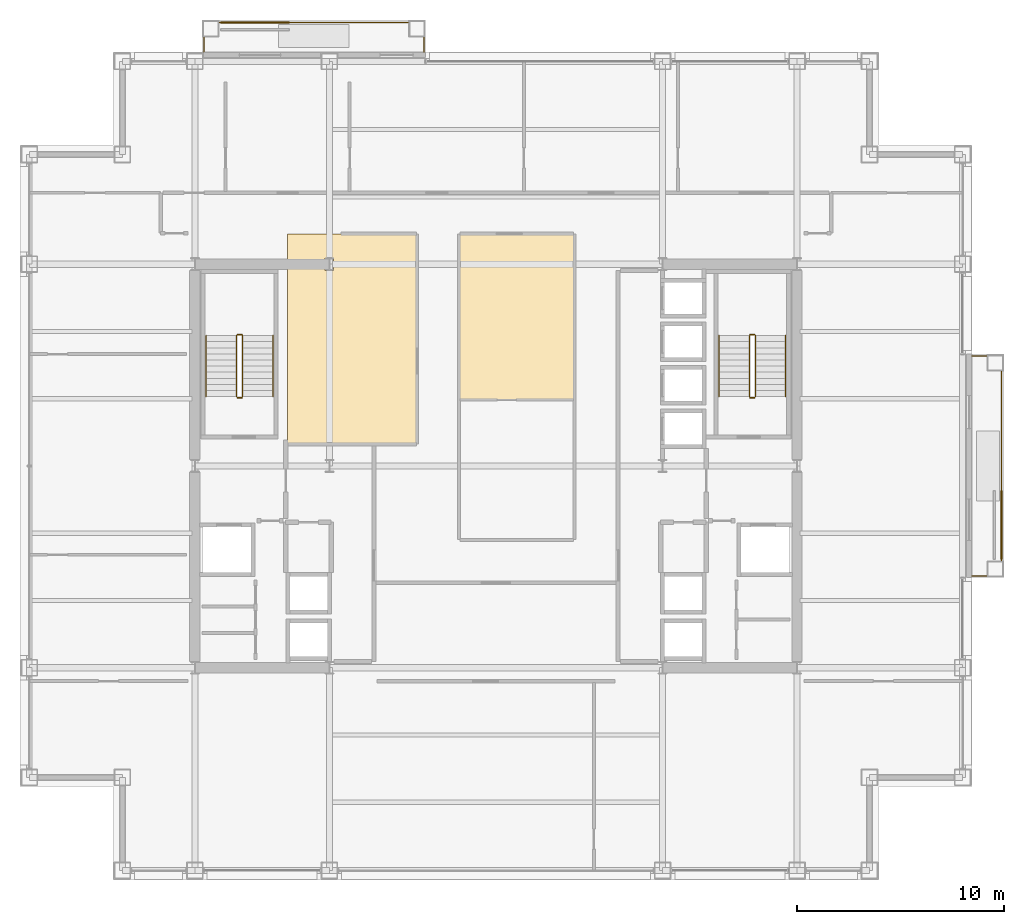
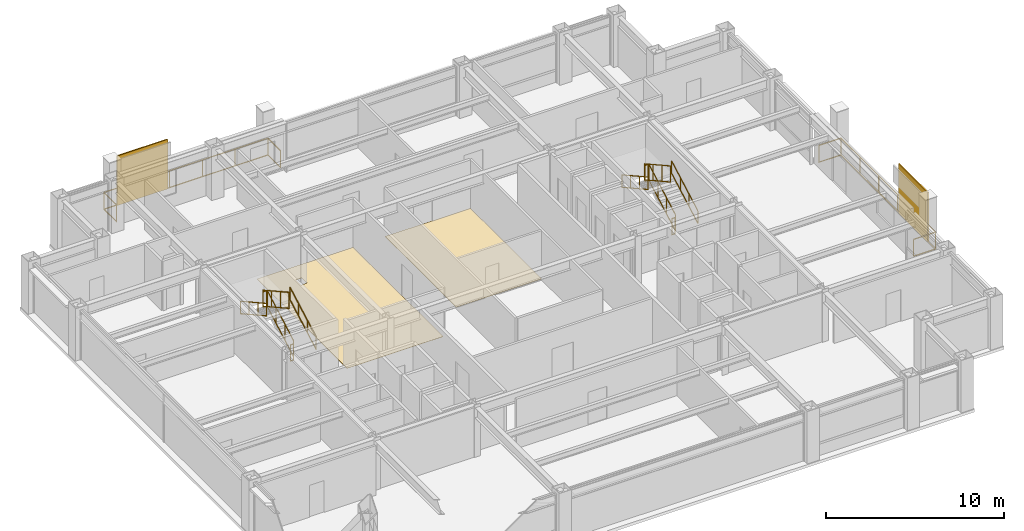
# One storey, part 28 of 29: 14 railings, 2 coverings, 2 shading devices.
"""IFC4 building model written with IfcOpenShell, lengths in metres."""

from ifc_helpers import new_model, si_unit, direction, frame, origin, origin_2d, place, context, subcontext, project, spatial, polyline, rectangle, outline, extrude, material, layer, layer_set, type_object, element, save


model = new_model("IFC4")

# Units and contexts
model_context = context("Model", 3, precision=1e-05, world=origin(), true_north=direction((0.0, 1.0)))
body_context = subcontext(model_context, "Body", "Model", "MODEL_VIEW")
ifc_project = project(units=[si_unit("LENGTHUNIT", "METRE"), si_unit("AREAUNIT", "SQUARE_METRE"), si_unit("VOLUMEUNIT", "CUBIC_METRE"), si_unit("PLANEANGLEUNIT", "RADIAN"), si_unit("MASSUNIT", "GRAM", prefix="KILO")], contexts=[model_context])

# Site, building, storey
site_placement = place(None, origin())
site = spatial("IfcSite", under=ifc_project, at=site_placement, CompositionType="ELEMENT")
building_placement = place(site_placement, origin())
building = spatial("IfcBuilding", under=site, at=building_placement, Name="Brelmoor Portico Tower", CompositionType="ELEMENT")
storey_placement = place(building_placement, frame((0.0, 0.0, 135.0)))
storey = spatial("IfcBuildingStorey", under=building, at=storey_placement, Name="L35", CompositionType="ELEMENT", Elevation=135.0)

# Coverings
ifc_material_1 = material(Name="Polished Pale-Aggregate Cementitious Terrazzo", Category="stone")
ifc_layer_1 = layer(ifc_material_1, 0.030029296875)
ifc_layer_set_1 = layer_set([ifc_layer_1], Name="Polished Pale-Aggregate Cementitious Terrazzo")
covering_type_1 = type_object("IfcCoveringType", Name="CV-FLR-TERRAZZO-30", PredefinedType="FLOORING", material=ifc_layer_set_1)
covering_1_placement = place(storey_placement, origin())
element("IfcCovering", 1, at=covering_1_placement, inside=storey, type_object=covering_type_1, Name="L35 Architectural Floor Finish 02", PredefinedType="FLOORING", context=body_context, shape_type="SweptSolid", body=[
    extrude(outline(polyline([(-1.760009765625, 3.219970703125), (-1.760009765625, 11.2099609375), (3.780029296875, 11.2099609375), (3.780029296875, 3.219970703125), (-1.760009765625, 3.219970703125)])), origin(), (0.0, 0.0, 1.0), 0.030029296875),
])
ifc_material_2 = material(Name="Engineered Quarter-Sawn Oak Parquet Flooring", Category="timber")
ifc_layer_2 = layer(ifc_material_2, 0.02197265625)
ifc_layer_set_2 = layer_set([ifc_layer_2], Name="Engineered Quarter-Sawn Oak Parquet Flooring")
covering_type_2 = type_object("IfcCoveringType", Name="CV-FLR-TIMBER-22", PredefinedType="FLOORING", material=ifc_layer_set_2)
covering_2_placement = place(storey_placement, origin())
element("IfcCovering", 2, at=covering_2_placement, inside=storey, type_object=covering_type_2, Name="L35 Architectural Floor Finish 01", PredefinedType="FLOORING", context=body_context, shape_type="SweptSolid", body=[
    extrude(outline(polyline([(-10.080078125, 11.2099609375), (-3.840087890625, 11.2099609375), (-3.840087890625, 1.090087890625), (-10.080078125, 1.090087890625), (-10.080078125, 11.2099609375)]), holes=[polyline([(-7.85009765625, 9.449951171875), (-7.85009765625, 10.050048828125), (-8.25, 10.050048828125), (-8.25, 9.449951171875), (-7.85009765625, 9.449951171875)])]), origin(), (0.0, 0.0, 1.0), 0.02197265625),
])

# Railings
ifc_material_3 = material(Name="Perforated Pale Champagne Aluminium Fretwork Guard", Category="aluminium")
railing_type_1 = type_object("IfcRailingType", Name="RL-BALUSTRADE-1200", PredefinedType="BALUSTRADE", material=ifc_material_3)
railing_1_placement = place(storey_placement, frame((-14.1201171875, 20.0, 0.0)))
element("IfcRailing", 3, at=railing_1_placement, inside=storey, type_object=railing_type_1, Name="L35 Tree Balcony Fretwork Balustrade N", PredefinedType="BALUSTRADE", context=body_context, shape_type="SweptSolid", body=[
    extrude(rectangle(XDim=0.048095703125, YDim=0.048095703125, at=origin_2d()), frame((0.0, 0.0, 1.17578125), z_axis=(0.0, 1.0, 0.0), x_axis=(-1.0, 0.0, 0.0)), (0.0, 0.0, 1.0), 1.429931640625),
    extrude(rectangle(XDim=0.048095703125, YDim=0.048095703125, at=origin_2d()), frame((0.0, 0.0, 0.02392578125), z_axis=(0.0, 1.0, 0.0), x_axis=(-1.0, 0.0, 0.0)), (0.0, 0.0, 1.0), 1.429931640625),
    extrude(rectangle(XDim=0.048095703125, YDim=0.048095703125, at=origin_2d()), frame((0.0, 1.429931640625, 1.17578125), z_axis=(1.0, 0.0, 0.0), x_axis=(0.0, 1.0, 0.0)), (0.0, 0.0, 1.0), 10.64013671875),
    extrude(rectangle(XDim=0.048095703125, YDim=0.048095703125, at=origin_2d()), frame((0.0, 1.429931640625, 0.02392578125), z_axis=(1.0, 0.0, 0.0), x_axis=(0.0, 1.0, 0.0)), (0.0, 0.0, 1.0), 10.64013671875),
    extrude(rectangle(XDim=0.048095703125, YDim=0.048095703125, at=origin_2d()), frame((10.64013671875, 1.429931640625, 1.17578125), z_axis=(0.0, -1.0, 0.0), x_axis=(1.0, 0.0, 0.0)), (0.0, 0.0, 1.0), 1.429931640625),
    extrude(rectangle(XDim=0.048095703125, YDim=0.048095703125, at=origin_2d()), frame((10.64013671875, 1.429931640625, 0.02392578125), z_axis=(0.0, -1.0, 0.0), x_axis=(1.0, 0.0, 0.0)), (0.0, 0.0, 1.0), 1.429931640625),
    extrude(rectangle(XDim=0.0419921875, YDim=0.0419921875, at=origin_2d()), origin(), (0.0, 0.0, 1.0), 1.15185546875),
    extrude(rectangle(XDim=0.0419921875, YDim=0.0419921875, at=origin_2d()), frame((0.0, 1.429931640625, 0.0)), (0.0, 0.0, 1.0), 1.15185546875),
    extrude(rectangle(XDim=0.0419921875, YDim=0.0419921875, at=origin_2d()), frame((2.1279296875, 1.429931640625, 0.0)), (0.0, 0.0, 1.0), 1.15185546875),
    extrude(rectangle(XDim=0.0419921875, YDim=0.0419921875, at=origin_2d()), frame((4.256103515625, 1.429931640625, 0.0)), (0.0, 0.0, 1.0), 1.15185546875),
    extrude(rectangle(XDim=0.0419921875, YDim=0.0419921875, at=origin_2d()), frame((6.384033203125, 1.429931640625, 0.0)), (0.0, 0.0, 1.0), 1.15185546875),
    extrude(rectangle(XDim=0.0419921875, YDim=0.0419921875, at=origin_2d()), frame((8.51220703125, 1.429931640625, 0.0)), (0.0, 0.0, 1.0), 1.15185546875),
    extrude(rectangle(XDim=0.0419921875, YDim=0.0419921875, at=origin_2d()), frame((10.64013671875, 1.429931640625, 0.0)), (0.0, 0.0, 1.0), 1.15185546875),
    extrude(rectangle(XDim=0.0419921875, YDim=0.0419921875, at=origin_2d()), frame((10.64013671875, 0.0, 0.0)), (0.0, 0.0, 1.0), 1.15185546875),
])
railing_2_placement = place(storey_placement, frame((23.0, -5.320068359375, 0.0)))
element("IfcRailing", 4, at=railing_2_placement, inside=storey, type_object=railing_type_1, Name="L35 Tree Balcony Fretwork Balustrade E", PredefinedType="BALUSTRADE", context=body_context, shape_type="SweptSolid", body=[
    extrude(rectangle(XDim=0.048095703125, YDim=0.048095703125, at=origin_2d()), frame((0.0, 0.0, 1.17578125), z_axis=(1.0, 0.0, 0.0), x_axis=(0.0, 1.0, 0.0)), (0.0, 0.0, 1.0), 1.429931640625),
    extrude(rectangle(XDim=0.048095703125, YDim=0.048095703125, at=origin_2d()), frame((0.0, 0.0, 0.02392578125), z_axis=(1.0, 0.0, 0.0), x_axis=(0.0, 1.0, 0.0)), (0.0, 0.0, 1.0), 1.429931640625),
    extrude(rectangle(XDim=0.048095703125, YDim=0.048095703125, at=origin_2d()), frame((1.429931640625, 0.0, 1.17578125), z_axis=(0.0, 1.0, 0.0), x_axis=(-1.0, 0.0, 0.0)), (0.0, 0.0, 1.0), 10.64013671875),
    extrude(rectangle(XDim=0.048095703125, YDim=0.048095703125, at=origin_2d()), frame((1.429931640625, 0.0, 0.02392578125), z_axis=(0.0, 1.0, 0.0), x_axis=(-1.0, 0.0, 0.0)), (0.0, 0.0, 1.0), 10.64013671875),
    extrude(rectangle(XDim=0.048095703125, YDim=0.048095703125, at=origin_2d()), frame((1.429931640625, 10.64013671875, 1.17578125), z_axis=(-1.0, 0.0, 0.0), x_axis=(0.0, -1.0, 0.0)), (0.0, 0.0, 1.0), 1.429931640625),
    extrude(rectangle(XDim=0.048095703125, YDim=0.048095703125, at=origin_2d()), frame((1.429931640625, 10.64013671875, 0.02392578125), z_axis=(-1.0, 0.0, 0.0), x_axis=(0.0, -1.0, 0.0)), (0.0, 0.0, 1.0), 1.429931640625),
    extrude(rectangle(XDim=0.0419921875, YDim=0.0419921875, at=origin_2d()), origin(), (0.0, 0.0, 1.0), 1.15185546875),
    extrude(rectangle(XDim=0.0419921875, YDim=0.0419921875, at=origin_2d()), frame((1.429931640625, 0.0, 0.0)), (0.0, 0.0, 1.0), 1.15185546875),
    extrude(rectangle(XDim=0.0419921875, YDim=0.0419921875, at=origin_2d()), frame((1.429931640625, 2.1279296875, 0.0)), (0.0, 0.0, 1.0), 1.15185546875),
    extrude(rectangle(XDim=0.0419921875, YDim=0.0419921875, at=origin_2d()), frame((1.429931640625, 4.256103515625, 0.0)), (0.0, 0.0, 1.0), 1.15185546875),
    extrude(rectangle(XDim=0.0419921875, YDim=0.0419921875, at=origin_2d()), frame((1.429931640625, 6.384033203125, 0.0)), (0.0, 0.0, 1.0), 1.15185546875),
    extrude(rectangle(XDim=0.0419921875, YDim=0.0419921875, at=origin_2d()), frame((1.429931640625, 8.51220703125, 0.0)), (0.0, 0.0, 1.0), 1.15185546875),
    extrude(rectangle(XDim=0.0419921875, YDim=0.0419921875, at=origin_2d()), frame((1.429931640625, 10.64013671875, 0.0)), (0.0, 0.0, 1.0), 1.15185546875),
    extrude(rectangle(XDim=0.0419921875, YDim=0.0419921875, at=origin_2d()), frame((0.0, 10.64013671875, 0.0)), (0.0, 0.0, 1.0), 1.15185546875),
])
ifc_material_4 = material(Name="Painted Tubular Steel Q235B", Category="steel")
railing_type_2 = type_object("IfcRailingType", Name="RL-STAIR-GUARD", PredefinedType="GUARDRAIL", material=ifc_material_4)
railing_3_placement = place(storey_placement, frame((-12.239990234375, 3.35009765625, 0.16357421875)))
element("IfcRailing", 5, at=railing_3_placement, inside=storey, type_object=railing_type_2, Name="L35 ST-W stair guard 1", PredefinedType="GUARDRAIL", context=body_context, shape_type="SweptSolid", body=[
    extrude(rectangle(XDim=0.048095703125, YDim=0.048095703125, at=origin_2d()), frame((0.0, 0.0, 1.1259765625), z_axis=(0.0, 0.874457516365, 0.485102104791), x_axis=(-1.0, 0.0, 0.0)), (0.0, 0.0, 1.0), 3.37353515625),
    extrude(rectangle(XDim=0.048095703125, YDim=0.048095703125, at=origin_2d()), frame((0.0, 0.0, 0.02392578125), z_axis=(0.0, 0.874457516365, 0.485102104791), x_axis=(-1.0, 0.0, 0.0)), (0.0, 0.0, 1.0), 3.37353515625),
    extrude(rectangle(XDim=0.0419921875, YDim=0.0419921875, at=origin_2d()), origin(), (0.0, 0.0, 1.0), 1.101806640625),
    extrude(rectangle(XDim=0.0419921875, YDim=0.0419921875, at=origin_2d()), frame((0.0, 0.9833984375, 0.54541015625)), (0.0, 0.0, 1.0), 1.101806640625),
    extrude(rectangle(XDim=0.0419921875, YDim=0.0419921875, at=origin_2d()), frame((0.0, 1.966552734375, 1.091064453125)), (0.0, 0.0, 1.0), 1.101806640625),
    extrude(rectangle(XDim=0.0419921875, YDim=0.0419921875, at=origin_2d()), frame((0.0, 2.949951171875, 1.636474609375)), (0.0, 0.0, 1.0), 1.101806640625),
])
railing_4_placement = place(storey_placement, frame((-12.2900390625, 6.35009765625, 1.800048828125)))
element("IfcRailing", 6, at=railing_4_placement, inside=storey, type_object=railing_type_2, Name="L35 ST-W stair guard 2", PredefinedType="GUARDRAIL", context=body_context, shape_type="SweptSolid", body=[
    extrude(rectangle(XDim=0.048095703125, YDim=0.048095703125, at=origin_2d()), frame((0.0, 0.0, 1.1259765625), z_axis=(-1.0, 0.0, 0.0), x_axis=(0.0, -1.0, 0.0)), (0.0, 0.0, 1.0), 0.199951171875),
    extrude(rectangle(XDim=0.048095703125, YDim=0.048095703125, at=origin_2d()), frame((0.0, 0.0, 0.02392578125), z_axis=(-1.0, 0.0, 0.0), x_axis=(0.0, -1.0, 0.0)), (0.0, 0.0, 1.0), 0.199951171875),
    extrude(rectangle(XDim=0.0419921875, YDim=0.0419921875, at=origin_2d()), origin(), (0.0, 0.0, 1.0), 1.101806640625),
    extrude(rectangle(XDim=0.0419921875, YDim=0.0419921875, at=origin_2d()), frame((-0.199951171875, 0.0, 0.0)), (0.0, 0.0, 1.0), 1.101806640625),
])
railing_5_placement = place(storey_placement, frame((-12.5400390625, 6.300048828125, 1.963623046875)))
element("IfcRailing", 7, at=railing_5_placement, inside=storey, type_object=railing_type_2, Name="L35 ST-W stair guard 3", PredefinedType="GUARDRAIL", context=body_context, shape_type="SweptSolid", body=[
    extrude(rectangle(XDim=0.048095703125, YDim=0.048095703125, at=origin_2d()), frame((0.0, 0.0, 1.1259765625), z_axis=(0.0, -0.874457516365, 0.485102104791), x_axis=(1.0, 0.0, 0.0)), (0.0, 0.0, 1.0), 3.37353515625),
    extrude(rectangle(XDim=0.048095703125, YDim=0.048095703125, at=origin_2d()), frame((0.0, 0.0, 0.02392578125), z_axis=(0.0, -0.874457516365, 0.485102104791), x_axis=(1.0, 0.0, 0.0)), (0.0, 0.0, 1.0), 3.37353515625),
    extrude(rectangle(XDim=0.0419921875, YDim=0.0419921875, at=origin_2d()), origin(), (0.0, 0.0, 1.0), 1.101806640625),
    extrude(rectangle(XDim=0.0419921875, YDim=0.0419921875, at=origin_2d()), frame((0.0, -0.9833984375, 0.54541015625)), (0.0, 0.0, 1.0), 1.101806640625),
    extrude(rectangle(XDim=0.0419921875, YDim=0.0419921875, at=origin_2d()), frame((0.0, -1.966552734375, 1.091064453125)), (0.0, 0.0, 1.0), 1.101806640625),
    extrude(rectangle(XDim=0.0419921875, YDim=0.0419921875, at=origin_2d()), frame((0.0, -2.949951171875, 1.636474609375)), (0.0, 0.0, 1.0), 1.101806640625),
])
railing_6_placement = place(storey_placement, frame((-12.2900390625, 3.300048828125, 0.0)))
element("IfcRailing", 8, at=railing_6_placement, inside=storey, type_object=railing_type_2, Name="L35 ST-W stair guard 4", PredefinedType="GUARDRAIL", context=body_context, shape_type="SweptSolid", body=[
    extrude(rectangle(XDim=0.048095703125, YDim=0.048095703125, at=origin_2d()), frame((0.0, 0.0, 1.1259765625), z_axis=(-1.0, 0.0, 0.0), x_axis=(0.0, -1.0, 0.0)), (0.0, 0.0, 1.0), 0.199951171875),
    extrude(rectangle(XDim=0.048095703125, YDim=0.048095703125, at=origin_2d()), frame((0.0, 0.0, 0.02392578125), z_axis=(-1.0, 0.0, 0.0), x_axis=(0.0, -1.0, 0.0)), (0.0, 0.0, 1.0), 0.199951171875),
    extrude(rectangle(XDim=0.0419921875, YDim=0.0419921875, at=origin_2d()), origin(), (0.0, 0.0, 1.0), 1.101806640625),
    extrude(rectangle(XDim=0.0419921875, YDim=0.0419921875, at=origin_2d()), frame((-0.199951171875, 0.0, 0.0)), (0.0, 0.0, 1.0), 1.101806640625),
])
railing_7_placement = place(storey_placement, frame((12.5400390625, 3.35009765625, 0.16357421875)))
element("IfcRailing", 9, at=railing_7_placement, inside=storey, type_object=railing_type_2, Name="L35 ST-E stair guard 1", PredefinedType="GUARDRAIL", context=body_context, shape_type="SweptSolid", body=[
    extrude(rectangle(XDim=0.048095703125, YDim=0.048095703125, at=origin_2d()), frame((0.0, 0.0, 1.1259765625), z_axis=(0.0, 0.874457516365, 0.485102104791), x_axis=(-1.0, 0.0, 0.0)), (0.0, 0.0, 1.0), 3.37353515625),
    extrude(rectangle(XDim=0.048095703125, YDim=0.048095703125, at=origin_2d()), frame((0.0, 0.0, 0.02392578125), z_axis=(0.0, 0.874457516365, 0.485102104791), x_axis=(-1.0, 0.0, 0.0)), (0.0, 0.0, 1.0), 3.37353515625),
    extrude(rectangle(XDim=0.0419921875, YDim=0.0419921875, at=origin_2d()), origin(), (0.0, 0.0, 1.0), 1.101806640625),
    extrude(rectangle(XDim=0.0419921875, YDim=0.0419921875, at=origin_2d()), frame((0.0, 0.9833984375, 0.54541015625)), (0.0, 0.0, 1.0), 1.101806640625),
    extrude(rectangle(XDim=0.0419921875, YDim=0.0419921875, at=origin_2d()), frame((0.0, 1.966552734375, 1.091064453125)), (0.0, 0.0, 1.0), 1.101806640625),
    extrude(rectangle(XDim=0.0419921875, YDim=0.0419921875, at=origin_2d()), frame((0.0, 2.949951171875, 1.636474609375)), (0.0, 0.0, 1.0), 1.101806640625),
])
railing_8_placement = place(storey_placement, frame((12.489990234375, 6.35009765625, 1.800048828125)))
element("IfcRailing", 10, at=railing_8_placement, inside=storey, type_object=railing_type_2, Name="L35 ST-E stair guard 2", PredefinedType="GUARDRAIL", context=body_context, shape_type="SweptSolid", body=[
    extrude(rectangle(XDim=0.048095703125, YDim=0.048095703125, at=origin_2d()), frame((0.0, 0.0, 1.1259765625), z_axis=(-1.0, 0.0, 0.0), x_axis=(0.0, -1.0, 0.0)), (0.0, 0.0, 1.0), 0.199951171875),
    extrude(rectangle(XDim=0.048095703125, YDim=0.048095703125, at=origin_2d()), frame((0.0, 0.0, 0.02392578125), z_axis=(-1.0, 0.0, 0.0), x_axis=(0.0, -1.0, 0.0)), (0.0, 0.0, 1.0), 0.199951171875),
    extrude(rectangle(XDim=0.0419921875, YDim=0.0419921875, at=origin_2d()), origin(), (0.0, 0.0, 1.0), 1.101806640625),
    extrude(rectangle(XDim=0.0419921875, YDim=0.0419921875, at=origin_2d()), frame((-0.199951171875, 0.0, 0.0)), (0.0, 0.0, 1.0), 1.101806640625),
])
railing_9_placement = place(storey_placement, frame((12.239990234375, 6.300048828125, 1.963623046875)))
element("IfcRailing", 11, at=railing_9_placement, inside=storey, type_object=railing_type_2, Name="L35 ST-E stair guard 3", PredefinedType="GUARDRAIL", context=body_context, shape_type="SweptSolid", body=[
    extrude(rectangle(XDim=0.048095703125, YDim=0.048095703125, at=origin_2d()), frame((0.0, 0.0, 1.1259765625), z_axis=(0.0, -0.874457516365, 0.485102104791), x_axis=(1.0, 0.0, 0.0)), (0.0, 0.0, 1.0), 3.37353515625),
    extrude(rectangle(XDim=0.048095703125, YDim=0.048095703125, at=origin_2d()), frame((0.0, 0.0, 0.02392578125), z_axis=(0.0, -0.874457516365, 0.485102104791), x_axis=(1.0, 0.0, 0.0)), (0.0, 0.0, 1.0), 3.37353515625),
    extrude(rectangle(XDim=0.0419921875, YDim=0.0419921875, at=origin_2d()), origin(), (0.0, 0.0, 1.0), 1.101806640625),
    extrude(rectangle(XDim=0.0419921875, YDim=0.0419921875, at=origin_2d()), frame((0.0, -0.9833984375, 0.54541015625)), (0.0, 0.0, 1.0), 1.101806640625),
    extrude(rectangle(XDim=0.0419921875, YDim=0.0419921875, at=origin_2d()), frame((0.0, -1.966552734375, 1.091064453125)), (0.0, 0.0, 1.0), 1.101806640625),
    extrude(rectangle(XDim=0.0419921875, YDim=0.0419921875, at=origin_2d()), frame((0.0, -2.949951171875, 1.636474609375)), (0.0, 0.0, 1.0), 1.101806640625),
])
railing_10_placement = place(storey_placement, frame((12.489990234375, 3.300048828125, 0.0)))
element("IfcRailing", 12, at=railing_10_placement, inside=storey, type_object=railing_type_2, Name="L35 ST-E stair guard 4", PredefinedType="GUARDRAIL", context=body_context, shape_type="SweptSolid", body=[
    extrude(rectangle(XDim=0.048095703125, YDim=0.048095703125, at=origin_2d()), frame((0.0, 0.0, 1.1259765625), z_axis=(-1.0, 0.0, 0.0), x_axis=(0.0, -1.0, 0.0)), (0.0, 0.0, 1.0), 0.199951171875),
    extrude(rectangle(XDim=0.048095703125, YDim=0.048095703125, at=origin_2d()), frame((0.0, 0.0, 0.02392578125), z_axis=(-1.0, 0.0, 0.0), x_axis=(0.0, -1.0, 0.0)), (0.0, 0.0, 1.0), 0.199951171875),
    extrude(rectangle(XDim=0.0419921875, YDim=0.0419921875, at=origin_2d()), origin(), (0.0, 0.0, 1.0), 1.101806640625),
    extrude(rectangle(XDim=0.0419921875, YDim=0.0419921875, at=origin_2d()), frame((-0.199951171875, 0.0, 0.0)), (0.0, 0.0, 1.0), 1.101806640625),
])
ifc_material_5 = material(Name="Brushed Stainless Steel 304", Category="steel")
railing_type_3 = type_object("IfcRailingType", Name="RL-STAIR-HANDRAIL", PredefinedType="HANDRAIL", material=ifc_material_5)
railing_11_placement = place(storey_placement, frame((-10.780029296875, 3.35009765625, 0.16357421875)))
element("IfcRailing", 13, at=railing_11_placement, inside=storey, type_object=railing_type_3, Name="L35 ST-W stair handrail 1", PredefinedType="HANDRAIL", context=body_context, shape_type="SweptSolid", body=[
    extrude(rectangle(XDim=0.048095703125, YDim=0.048095703125, at=origin_2d()), frame((0.0, 0.0, 0.8759765625), z_axis=(0.0, 0.874457516365, 0.485102104791), x_axis=(-1.0, 0.0, 0.0)), (0.0, 0.0, 1.0), 3.37353515625),
    extrude(rectangle(XDim=0.048095703125, YDim=0.048095703125, at=origin_2d()), frame((0.0, 0.0, 0.02392578125), z_axis=(0.0, 0.874457516365, 0.485102104791), x_axis=(-1.0, 0.0, 0.0)), (0.0, 0.0, 1.0), 3.37353515625),
    extrude(rectangle(XDim=0.0419921875, YDim=0.0419921875, at=origin_2d()), origin(), (0.0, 0.0, 1.0), 0.851806640625),
    extrude(rectangle(XDim=0.0419921875, YDim=0.0419921875, at=origin_2d()), frame((0.0, 0.9833984375, 0.54541015625)), (0.0, 0.0, 1.0), 0.851806640625),
    extrude(rectangle(XDim=0.0419921875, YDim=0.0419921875, at=origin_2d()), frame((0.0, 1.966552734375, 1.091064453125)), (0.0, 0.0, 1.0), 0.851806640625),
    extrude(rectangle(XDim=0.0419921875, YDim=0.0419921875, at=origin_2d()), frame((0.0, 2.949951171875, 1.636474609375)), (0.0, 0.0, 1.0), 0.851806640625),
])
railing_12_placement = place(storey_placement, frame((-14.0, 6.300048828125, 1.963623046875)))
element("IfcRailing", 14, at=railing_12_placement, inside=storey, type_object=railing_type_3, Name="L35 ST-W stair handrail 2", PredefinedType="HANDRAIL", context=body_context, shape_type="SweptSolid", body=[
    extrude(rectangle(XDim=0.048095703125, YDim=0.048095703125, at=origin_2d()), frame((0.0, 0.0, 0.8759765625), z_axis=(0.0, -0.874457516365, 0.485102104791), x_axis=(1.0, 0.0, 0.0)), (0.0, 0.0, 1.0), 3.37353515625),
    extrude(rectangle(XDim=0.048095703125, YDim=0.048095703125, at=origin_2d()), frame((0.0, 0.0, 0.02392578125), z_axis=(0.0, -0.874457516365, 0.485102104791), x_axis=(1.0, 0.0, 0.0)), (0.0, 0.0, 1.0), 3.37353515625),
    extrude(rectangle(XDim=0.0419921875, YDim=0.0419921875, at=origin_2d()), origin(), (0.0, 0.0, 1.0), 0.851806640625),
    extrude(rectangle(XDim=0.0419921875, YDim=0.0419921875, at=origin_2d()), frame((0.0, -0.9833984375, 0.54541015625)), (0.0, 0.0, 1.0), 0.851806640625),
    extrude(rectangle(XDim=0.0419921875, YDim=0.0419921875, at=origin_2d()), frame((0.0, -1.966552734375, 1.091064453125)), (0.0, 0.0, 1.0), 0.851806640625),
    extrude(rectangle(XDim=0.0419921875, YDim=0.0419921875, at=origin_2d()), frame((0.0, -2.949951171875, 1.636474609375)), (0.0, 0.0, 1.0), 0.851806640625),
])
railing_13_placement = place(storey_placement, frame((14.0, 3.35009765625, 0.16357421875)))
element("IfcRailing", 15, at=railing_13_placement, inside=storey, type_object=railing_type_3, Name="L35 ST-E stair handrail 1", PredefinedType="HANDRAIL", context=body_context, shape_type="SweptSolid", body=[
    extrude(rectangle(XDim=0.048095703125, YDim=0.048095703125, at=origin_2d()), frame((0.0, 0.0, 0.8759765625), z_axis=(0.0, 0.874457516365, 0.485102104791), x_axis=(-1.0, 0.0, 0.0)), (0.0, 0.0, 1.0), 3.37353515625),
    extrude(rectangle(XDim=0.048095703125, YDim=0.048095703125, at=origin_2d()), frame((0.0, 0.0, 0.02392578125), z_axis=(0.0, 0.874457516365, 0.485102104791), x_axis=(-1.0, 0.0, 0.0)), (0.0, 0.0, 1.0), 3.37353515625),
    extrude(rectangle(XDim=0.0419921875, YDim=0.0419921875, at=origin_2d()), origin(), (0.0, 0.0, 1.0), 0.851806640625),
    extrude(rectangle(XDim=0.0419921875, YDim=0.0419921875, at=origin_2d()), frame((0.0, 0.9833984375, 0.54541015625)), (0.0, 0.0, 1.0), 0.851806640625),
    extrude(rectangle(XDim=0.0419921875, YDim=0.0419921875, at=origin_2d()), frame((0.0, 1.966552734375, 1.091064453125)), (0.0, 0.0, 1.0), 0.851806640625),
    extrude(rectangle(XDim=0.0419921875, YDim=0.0419921875, at=origin_2d()), frame((0.0, 2.949951171875, 1.636474609375)), (0.0, 0.0, 1.0), 0.851806640625),
])
railing_14_placement = place(storey_placement, frame((10.780029296875, 6.300048828125, 1.963623046875)))
element("IfcRailing", 16, at=railing_14_placement, inside=storey, type_object=railing_type_3, Name="L35 ST-E stair handrail 2", PredefinedType="HANDRAIL", context=body_context, shape_type="SweptSolid", body=[
    extrude(rectangle(XDim=0.048095703125, YDim=0.048095703125, at=origin_2d()), frame((0.0, 0.0, 0.8759765625), z_axis=(0.0, -0.874457516365, 0.485102104791), x_axis=(1.0, 0.0, 0.0)), (0.0, 0.0, 1.0), 3.37353515625),
    extrude(rectangle(XDim=0.048095703125, YDim=0.048095703125, at=origin_2d()), frame((0.0, 0.0, 0.02392578125), z_axis=(0.0, -0.874457516365, 0.485102104791), x_axis=(1.0, 0.0, 0.0)), (0.0, 0.0, 1.0), 3.37353515625),
    extrude(rectangle(XDim=0.0419921875, YDim=0.0419921875, at=origin_2d()), origin(), (0.0, 0.0, 1.0), 0.851806640625),
    extrude(rectangle(XDim=0.0419921875, YDim=0.0419921875, at=origin_2d()), frame((0.0, -0.9833984375, 0.54541015625)), (0.0, 0.0, 1.0), 0.851806640625),
    extrude(rectangle(XDim=0.0419921875, YDim=0.0419921875, at=origin_2d()), frame((0.0, -1.966552734375, 1.091064453125)), (0.0, 0.0, 1.0), 0.851806640625),
    extrude(rectangle(XDim=0.0419921875, YDim=0.0419921875, at=origin_2d()), frame((0.0, -2.949951171875, 1.636474609375)), (0.0, 0.0, 1.0), 0.851806640625),
])

# Shading devices
ifc_material_6 = material(Name="Powder-Coated Aluminium Shuttered Jalousie", Category="aluminium")
ifc_layer_3 = layer(ifc_material_6, 0.080078125)
ifc_layer_set_3 = layer_set([ifc_layer_3], Name="Powder-Coated Aluminium Shuttered Jalousie")
shading_device_type = type_object("IfcShadingDeviceType", Name="SD-JALOUSIE-LOGGIA", PredefinedType="JALOUSIE", material=ifc_layer_set_3)
for number, where, z_axis, x_axis, name in (
    (17, (-11.64990234375, 21.429931640625, 0.0), (0.0, 0.0, 1.0), (1.0, 0.0, 0.0), "L35 Loggia Shuttered Jalousie N"),
    (18, (24.429931640625, -2.85009765625, 0.0), (0.0, 0.0, 1.0), (0.0, 1.0, 0.0), "L35 Loggia Shuttered Jalousie E"),
):
    element("IfcShadingDevice", number, at=place(storey_placement, frame(where, z_axis=z_axis, x_axis=x_axis)), inside=storey, type_object=shading_device_type, Name=name, PredefinedType="JALOUSIE", context=body_context, shape_type="SweptSolid", body=[
        extrude(rectangle(XDim=3.300048828125, YDim=0.080078125, at=origin_2d()), origin(), (0.0, 0.0, 1.0), 3.39990234375),
    ])

save(model, "model.ifc")
